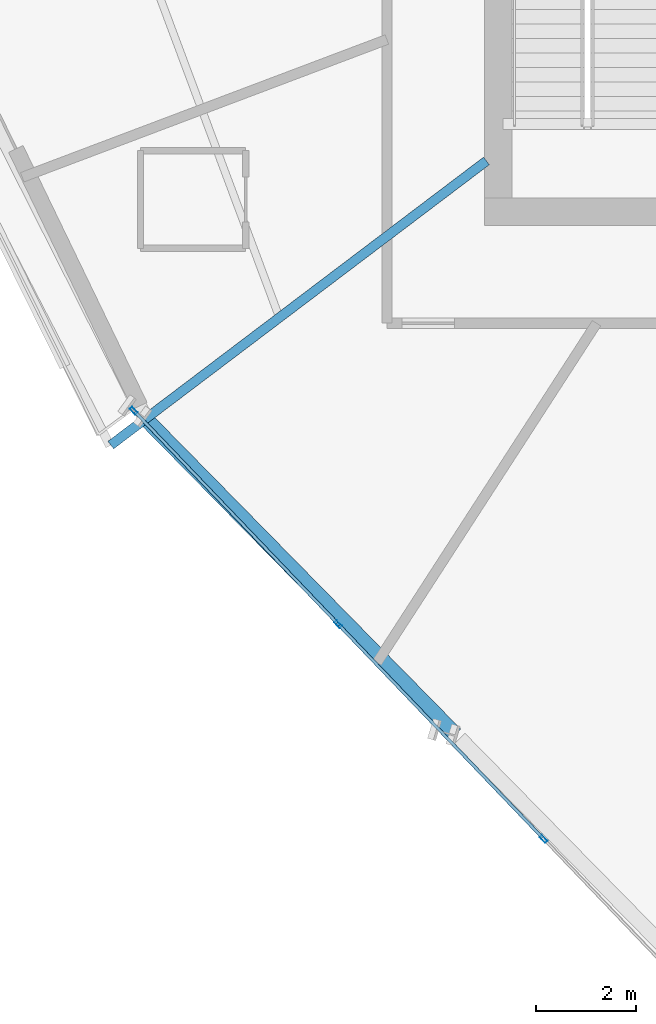
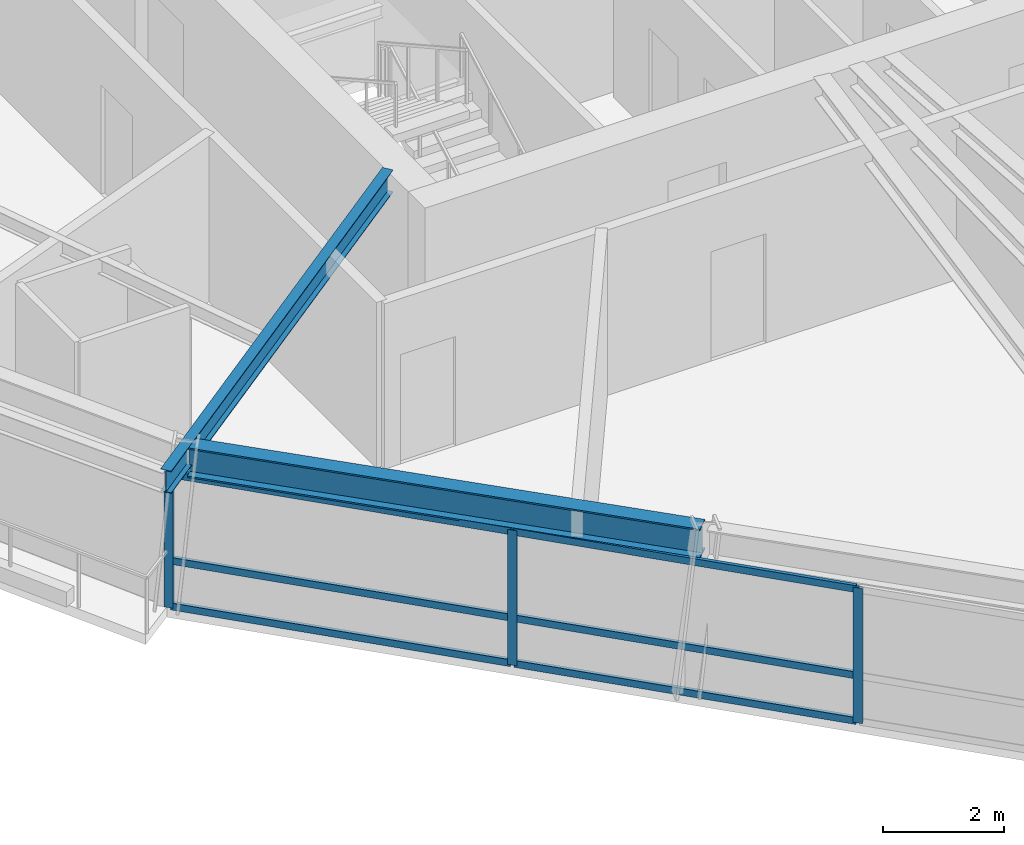
# One storey, part 2 of 14: 9 members, 2 beams, 1 element without a shape of its own.
"""IFC4 building model written with IfcOpenShell, lengths in metres."""

from ifc_helpers import new_model, si_unit, direction, frame, origin, origin_2d, place, context, subcontext, project, spatial, hollow_rectangle, i_section, extrude, source, transform, mapped, material, material_profile, profile_set, type_object, element, aggregate, save


model = new_model("IFC4")

# Units and contexts
model_context = context("Model", 3, precision=1e-05, world=origin(), true_north=direction((0.0, 1.0)))
body_context = subcontext(model_context, "Body", "Model", "MODEL_VIEW")
ifc_project = project(units=[si_unit("LENGTHUNIT", "METRE"), si_unit("AREAUNIT", "SQUARE_METRE"), si_unit("VOLUMEUNIT", "CUBIC_METRE"), si_unit("PLANEANGLEUNIT", "RADIAN"), si_unit("MASSUNIT", "GRAM", prefix="KILO")], contexts=[model_context])

# Site, building, storey
site_placement = place(None, origin())
site = spatial("IfcSite", under=ifc_project, at=site_placement, CompositionType="ELEMENT")
building_placement = place(site_placement, origin())
building = spatial("IfcBuilding", under=site, at=building_placement, Name="Olszyna Solenne Hotel", CompositionType="ELEMENT")
storey_placement = place(building_placement, frame((0.0, 0.0, 182.10009765625)))
storey = spatial("IfcBuildingStorey", under=building, at=storey_placement, Name="L48", CompositionType="ELEMENT", Elevation=182.10009765625)

# Beams
ifc_material_1 = material(Name="Steel S355J2", Category="steel")
ifc_material_profile_1 = material_profile(ifc_material_1, i_section(OverallWidth=0.300048828125, OverallDepth=0.60009765625, WebThickness=0.015380859375, FlangeThickness=0.030029296875, at=origin_2d()), Name="HEB 600", Category="load-bearing")
ifc_profile_set_1 = profile_set([ifc_material_profile_1], Name="Steel S355J2")
beam_type_1 = type_object("IfcBeamType", Name="BM-S2", PredefinedType="BEAM", material=ifc_profile_set_1)
shared_shape_1 = source(origin(), body_context, "Body", "SweptSolid", [
    extrude(i_section(OverallWidth=0.300048828125, OverallDepth=0.60009765625, WebThickness=0.015380859375, FlangeThickness=0.030029296875, at=origin_2d()), origin(), (0.0, 0.0, 1.0), 8.780029296875),
])
beam_1_placement = place(storey_placement, frame((22.81689453125, 15.050048828125, 3.02978515625), z_axis=(0.700696388499, -0.713459579194, 0.0), x_axis=(0.713459579194, 0.700696388499, 0.0)))
element("IfcBeam", 1, at=beam_1_placement, inside=storey, type_object=beam_type_1, Name="Perimeter spandrel beam BM-S2 B-L48-1428", PredefinedType="BEAM", context=body_context, shape_type="MappedRepresentation", body=[
    mapped(shared_shape_1, transform((0.0, 0.0, 0.0), x_axis=(1.0, 0.0, 0.0), y_axis=(0.0, 1.0, 0.0), z_axis=(0.0, 0.0, 1.0), scale=1.0)),
])
ifc_material_profile_2 = material_profile(ifc_material_1, i_section(OverallWidth=0.18994140625, OverallDepth=0.449951171875, WebThickness=0.009521484375, FlangeThickness=0.0146484375, at=origin_2d()), Name="IPE 450", Category="load-bearing")
ifc_profile_set_2 = profile_set([ifc_material_profile_2], Name="Steel S355J2")
beam_type_2 = type_object("IfcBeamType", Name="BM-F4", PredefinedType="BEAM", material=ifc_profile_set_2)
shared_shape_2 = source(origin(), body_context, "Body", "SweptSolid", [
    extrude(i_section(OverallWidth=0.18994140625, OverallDepth=0.449951171875, WebThickness=0.009521484375, FlangeThickness=0.0146484375, at=origin_2d()), origin(), (0.0, 0.0, 1.0), 9.4130859375),
])
beam_2_placement = place(storey_placement, frame((22.082763671875, 14.56494140625, 3.10498046875), z_axis=(0.797525102781, 0.603285761836, 0.0), x_axis=(-0.603285761836, 0.797525102781, 0.0)))
element("IfcBeam", 2, at=beam_2_placement, inside=storey, type_object=beam_type_2, Name="Radial floor girder BM-F4 B-L48-1439", PredefinedType="BEAM", context=body_context, shape_type="MappedRepresentation", body=[
    mapped(shared_shape_2, transform((0.0, 0.0, 0.0), x_axis=(1.0, 0.0, 0.0), y_axis=(0.0, 1.0, 0.0), z_axis=(0.0, 0.0, 1.0), scale=1.0)),
])

# Curtain wall, members
ifc_material_2 = material(Name="Anodised bronze aluminium", Category="aluminium")
curtain_wall_type = type_object("IfcCurtainWallType", Name="CW-SYS-4", PredefinedType="NOTDEFINED", material=ifc_material_2)
curtain_wall_placement = place(storey_placement, origin())
curtain_wall = element("IfcCurtainWall", 3, at=curtain_wall_placement, inside=storey, type_object=curtain_wall_type, Name="Unitised curtain wall CW-SYS-4 CW-L48-01", PredefinedType="NOTDEFINED")
ifc_material_profile_3 = material_profile(ifc_material_2, hollow_rectangle(XDim=0.06494140625, YDim=0.159912109375, WallThickness=0.00390625, at=origin_2d()), Name="MULL 160x65x4", Category="load-bearing")
ifc_profile_set_3 = profile_set([ifc_material_profile_3], Name="Anodised bronze aluminium")
member_type_1 = type_object("IfcMemberType", Name="CW-M3", PredefinedType="MULLION", material=ifc_profile_set_3)
shared_shape_3 = source(origin(), body_context, "Body", "SweptSolid", [
    extrude(hollow_rectangle(XDim=0.06494140625, YDim=0.159912109375, WallThickness=0.00390625, at=origin_2d()), origin(), (0.0, 0.0, 1.0), 2.721923828125),
])
member_1_placement = place(storey_placement, frame((22.541748046875, 15.255126953125, 0.0), z_axis=(0.0, 0.0, 1.0), x_axis=(0.72251812704, 0.691351976998, 0.0)))
member_1 = element("IfcMember", 4, at=member_1_placement, type_object=member_type_1, Name="Curtain-wall mullion CW-M3 CM-L48-01-01", PredefinedType="MULLION", context=body_context, shape_type="MappedRepresentation", body=[
    mapped(shared_shape_3, transform((0.0, 0.0, 0.0), x_axis=(1.0, 0.0, 0.0), y_axis=(0.0, 1.0, 0.0), z_axis=(0.0, 0.0, 1.0), scale=1.0)),
])
member_2_placement = place(storey_placement, frame((26.62548828125, 10.987548828125, 0.0), z_axis=(0.0, 0.0, 1.0), x_axis=(0.72251812704, 0.691351976998, 0.0)))
member_2 = element("IfcMember", 5, at=member_2_placement, type_object=member_type_1, Name="Curtain-wall mullion CW-M3 CM-L48-01-02", PredefinedType="MULLION", context=body_context, shape_type="MappedRepresentation", body=[
    mapped(shared_shape_3, transform((0.0, 0.0, 0.0), x_axis=(1.0, 0.0, 0.0), y_axis=(0.0, 1.0, 0.0), z_axis=(0.0, 0.0, 1.0), scale=1.0)),
])
member_3_placement = place(storey_placement, frame((30.7314453125, 6.6962890625, 0.0), z_axis=(0.0, 0.0, 1.0), x_axis=(0.72251812704, 0.691351976998, 0.0)))
member_3 = element("IfcMember", 6, at=member_3_placement, type_object=member_type_1, Name="Curtain-wall mullion CW-M3 CM-L48-01-03", PredefinedType="MULLION", context=body_context, shape_type="MappedRepresentation", body=[
    mapped(shared_shape_3, transform((0.0, 0.0, 0.0), x_axis=(1.0, 0.0, 0.0), y_axis=(0.0, 1.0, 0.0), z_axis=(0.0, 0.0, 1.0), scale=1.0)),
])
ifc_material_profile_4 = material_profile(ifc_material_2, hollow_rectangle(XDim=0.06494140625, YDim=0.139892578125, WallThickness=0.00390625, at=origin_2d()), Name="TRAN 140x65x4", Category="load-bearing")
ifc_profile_set_4 = profile_set([ifc_material_profile_4], Name="Anodised bronze aluminium")
member_type_2 = type_object("IfcMemberType", Name="CW-T2", PredefinedType="USERDEFINED", material=ifc_profile_set_4)
shared_shape_4 = source(origin(), body_context, "Body", "SweptSolid", [
    extrude(hollow_rectangle(XDim=0.06494140625, YDim=0.139892578125, WallThickness=0.00390625, at=origin_2d()), origin(), (0.0, 0.0, 1.0), 5.841552734375),
])
member_4_placement = place(storey_placement, frame((22.564453125, 15.231689453125, 0.032470703125), z_axis=(0.691345994424, -0.722523851505, 0.0), x_axis=(0.722523851505, 0.691345994424, 0.0)))
member_4 = element("IfcMember", 7, at=member_4_placement, type_object=member_type_2, Name="Curtain-wall transom CW-T2 CT-L48-01-01", ObjectType="TRANSOM", PredefinedType="USERDEFINED", context=body_context, shape_type="MappedRepresentation", body=[
    mapped(shared_shape_4, transform((0.0, 0.0, 0.0), x_axis=(1.0, 0.0, 0.0), y_axis=(0.0, 1.0, 0.0), z_axis=(0.0, 0.0, 1.0), scale=1.0)),
])
member_5_placement = place(storey_placement, frame((22.564453125, 15.231689453125, 0.949951171875), z_axis=(0.691345994424, -0.722523851505, 0.0), x_axis=(0.722523851505, 0.691345994424, 0.0)))
member_5 = element("IfcMember", 8, at=member_5_placement, type_object=member_type_2, Name="Curtain-wall transom CW-T2 CT-L48-01-02", ObjectType="TRANSOM", PredefinedType="USERDEFINED", context=body_context, shape_type="MappedRepresentation", body=[
    mapped(shared_shape_4, transform((0.0, 0.0, 0.0), x_axis=(1.0, 0.0, 0.0), y_axis=(0.0, 1.0, 0.0), z_axis=(0.0, 0.0, 1.0), scale=1.0)),
])
member_6_placement = place(storey_placement, frame((22.564453125, 15.231689453125, 2.689453125), z_axis=(0.691345994424, -0.722523851505, 0.0), x_axis=(0.722523851505, 0.691345994424, 0.0)))
member_6 = element("IfcMember", 9, at=member_6_placement, type_object=member_type_2, Name="Curtain-wall transom CW-T2 CT-L48-01-03", ObjectType="TRANSOM", PredefinedType="USERDEFINED", context=body_context, shape_type="MappedRepresentation", body=[
    mapped(shared_shape_4, transform((0.0, 0.0, 0.0), x_axis=(1.0, 0.0, 0.0), y_axis=(0.0, 1.0, 0.0), z_axis=(0.0, 0.0, 1.0), scale=1.0)),
])
shared_shape_5 = source(origin(), body_context, "Body", "SweptSolid", [
    extrude(hollow_rectangle(XDim=0.06494140625, YDim=0.139892578125, WallThickness=0.00390625, at=origin_2d()), origin(), (0.0, 0.0, 1.0), 5.8740234375),
])
member_7_placement = place(storey_placement, frame((26.64794921875, 10.9638671875, 0.032470703125), z_axis=(0.691349086856, -0.722520892503, 0.0), x_axis=(0.722520892503, 0.691349086856, 0.0)))
member_7 = element("IfcMember", 10, at=member_7_placement, type_object=member_type_2, Name="Curtain-wall transom CW-T2 CT-L48-01-04", ObjectType="TRANSOM", PredefinedType="USERDEFINED", context=body_context, shape_type="MappedRepresentation", body=[
    mapped(shared_shape_5, transform((0.0, 0.0, 0.0), x_axis=(1.0, 0.0, 0.0), y_axis=(0.0, 1.0, 0.0), z_axis=(0.0, 0.0, 1.0), scale=1.0)),
])
member_8_placement = place(storey_placement, frame((26.64794921875, 10.9638671875, 0.949951171875), z_axis=(0.691349086856, -0.722520892503, 0.0), x_axis=(0.722520892503, 0.691349086856, 0.0)))
member_8 = element("IfcMember", 11, at=member_8_placement, type_object=member_type_2, Name="Curtain-wall transom CW-T2 CT-L48-01-05", ObjectType="TRANSOM", PredefinedType="USERDEFINED", context=body_context, shape_type="MappedRepresentation", body=[
    mapped(shared_shape_5, transform((0.0, 0.0, 0.0), x_axis=(1.0, 0.0, 0.0), y_axis=(0.0, 1.0, 0.0), z_axis=(0.0, 0.0, 1.0), scale=1.0)),
])
member_9_placement = place(storey_placement, frame((26.64794921875, 10.9638671875, 2.689453125), z_axis=(0.691349086856, -0.722520892503, 0.0), x_axis=(0.722520892503, 0.691349086856, 0.0)))
member_9 = element("IfcMember", 12, at=member_9_placement, type_object=member_type_2, Name="Curtain-wall transom CW-T2 CT-L48-01-06", ObjectType="TRANSOM", PredefinedType="USERDEFINED", context=body_context, shape_type="MappedRepresentation", body=[
    mapped(shared_shape_5, transform((0.0, 0.0, 0.0), x_axis=(1.0, 0.0, 0.0), y_axis=(0.0, 1.0, 0.0), z_axis=(0.0, 0.0, 1.0), scale=1.0)),
])
aggregate(curtain_wall, [member_1, member_2, member_3, member_4, member_5, member_6, member_7, member_8, member_9])

save(model, "model.ifc")
